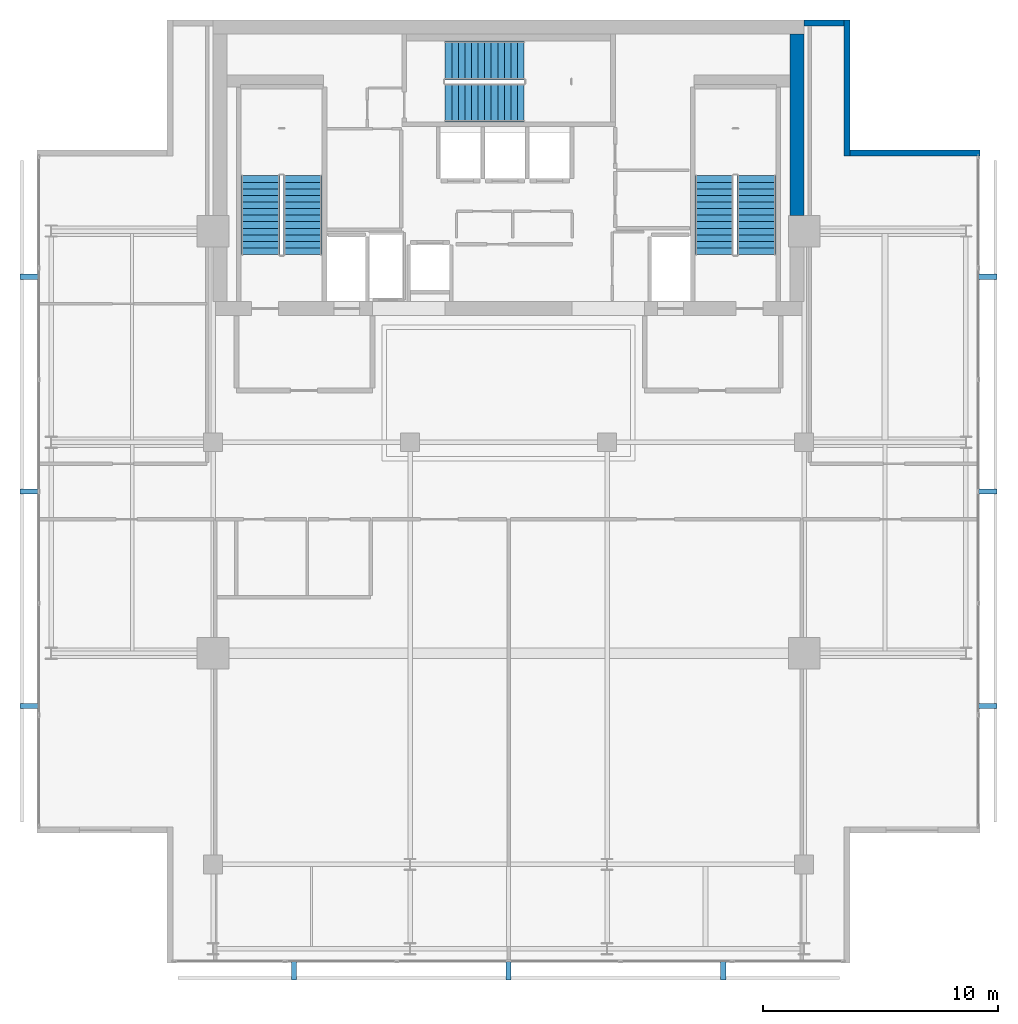
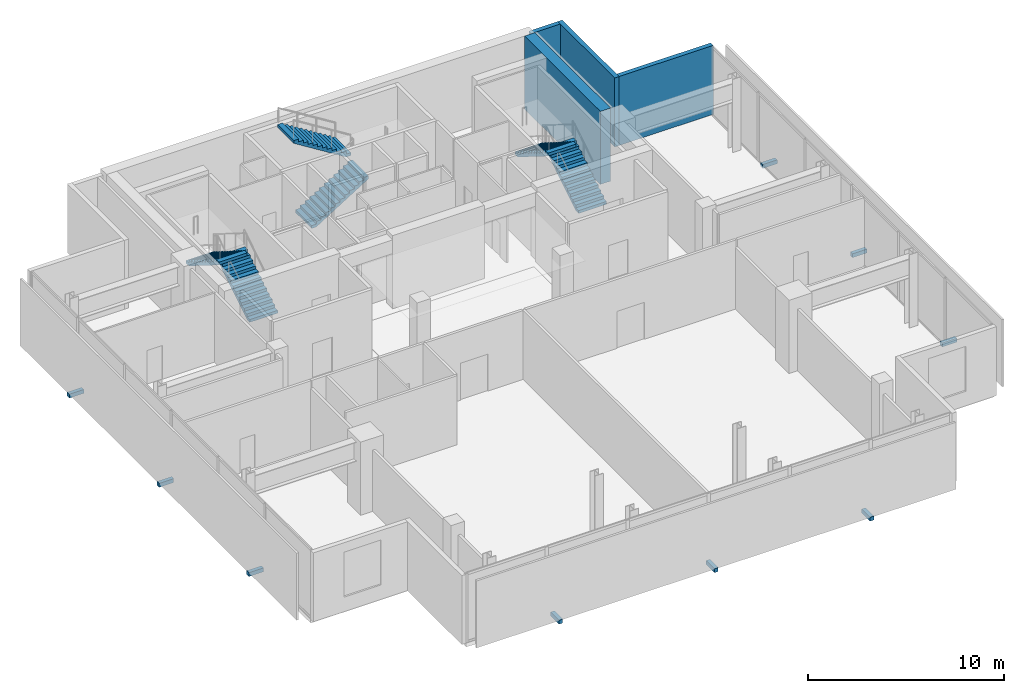
# One storey, part 19 of 23: 9 discrete accessories, 6 stair flights, 4 walls, 3 elements without a shape of their own.
"""IFC4 building model written with IfcOpenShell, lengths in metres."""

from ifc_helpers import new_model, si_unit, direction, frame, frame_2d, origin, origin_2d, place, context, subcontext, project, spatial, polyline, rectangle, outline, extrude, material, layer, layer_set, type_object, element, aggregate, save


model = new_model("IFC4")

# Units and contexts
model_context = context("Model", 3, precision=1e-05, world=origin(), true_north=direction((0.0, 1.0)))
body_context = subcontext(model_context, "Body", "Model", "MODEL_VIEW")
ifc_project = project(units=[si_unit("LENGTHUNIT", "METRE"), si_unit("AREAUNIT", "SQUARE_METRE"), si_unit("VOLUMEUNIT", "CUBIC_METRE"), si_unit("PLANEANGLEUNIT", "RADIAN"), si_unit("MASSUNIT", "GRAM", prefix="KILO")], contexts=[model_context])

# Site, building, storey
site_placement = place(None, origin())
site = spatial("IfcSite", under=ifc_project, at=site_placement, CompositionType="ELEMENT")
building_placement = place(site_placement, origin())
building = spatial("IfcBuilding", under=site, at=building_placement, Name="Maruvema Waterfront Hotel and Observation Tower", CompositionType="ELEMENT")
storey_placement = place(building_placement, frame((0.0, 0.0, 349.64990234375)))
storey = spatial("IfcBuildingStorey", under=building, at=storey_placement, Name="L86", CompositionType="ELEMENT", Elevation=349.64990234375)

# Walls
ifc_material_1 = material(Name="Concrete C60/75", Category="concrete")
ifc_layer_1 = layer(ifc_material_1, 0.60009765625, Name="Core Shear Wall 600 mm")
ifc_layer_set_1 = layer_set([ifc_layer_1], Name="Concrete C60/75")
wall_type_1 = type_object("IfcWallType", Name="Core Shear Wall 600 mm", PredefinedType="SHEAR", material=ifc_layer_set_1)
wall_1_placement = place(storey_placement, frame((50.10009765625, 45.675048828125, 0.0), z_axis=(0.0, 0.0, 1.0), x_axis=(0.0, 1.0, 0.0)))
element("IfcWall", 1, at=wall_1_placement, inside=storey, type_object=wall_type_1, Name="L86 East-North Core Shear Wall", PredefinedType="SHEAR", context=body_context, shape_type="SweptSolid", body=[
    extrude(rectangle(XDim=7.724853515625, YDim=0.60009765625, at=frame_2d((3.8623046875, 0.0))), origin(), (0.0, 0.0, 1.0), 4.550048828125),
])
ifc_material_2 = material(Name="Precast concrete C45/55 with honed Pernambuco granite facing", Category="masonry")
ifc_layer_2 = layer(ifc_material_2, 0.260009765625, Name="Exterior Granite Clad Spandrel and Pier Wall 260 mm")
ifc_layer_set_2 = layer_set([ifc_layer_2], Name="Precast concrete C45/55 with honed Pernambuco granite facing")
wall_type_2 = type_object("IfcWallType", Name="Exterior Granite Clad Spandrel and Pier Wall 260 mm", PredefinedType="SOLIDWALL", material=ifc_layer_set_2)
wall_2_placement = place(storey_placement, frame((52.22998046875, 54.0, 0.0), z_axis=(0.0, 0.0, 1.0), x_axis=(0.0, -1.0, 0.0)))
element("IfcWall", 2, at=wall_2_placement, inside=storey, type_object=wall_type_2, Name="L86 Corner Notch Granite Pier Wall NE1", PredefinedType="SOLIDWALL", context=body_context, shape_type="SweptSolid", body=[
    extrude(rectangle(XDim=5.800048828125, YDim=0.260009765625, at=frame_2d((2.89990234375, 0.0))), origin(), (0.0, 0.0, 1.0), 4.2900390625),
])
wall_3_placement = place(storey_placement, frame((52.10009765625, 48.330078125, 0.0), z_axis=(0.0, 0.0, 1.0), x_axis=(1.0, 0.0, 0.0)))
element("IfcWall", 3, at=wall_3_placement, inside=storey, type_object=wall_type_2, Name="L86 Corner Notch Granite Pier Wall NE2", PredefinedType="SOLIDWALL", context=body_context, shape_type="SweptSolid", body=[
    extrude(rectangle(XDim=5.7998046875, YDim=0.260009765625, at=frame_2d((2.89990234375, 0.0))), origin(), (0.0, 0.0, 1.0), 4.2900390625),
])
wall_4_placement = place(storey_placement, frame((52.10009765625, 53.8701171875, 0.0), z_axis=(0.0, 0.0, 1.0), x_axis=(-1.0, 0.0, 0.0)))
element("IfcWall", 4, at=wall_4_placement, inside=storey, type_object=wall_type_2, Name="L86 North-East Core Flanking Pier Wall", PredefinedType="SOLIDWALL", context=body_context, shape_type="SweptSolid", body=[
    extrude(rectangle(XDim=1.7001953125, YDim=0.260009765625, at=frame_2d((0.85009765625, 0.0))), origin(), (0.0, 0.0, 1.0), 4.2900390625),
])

# Stair, stair flights
ifc_material_3 = material(Name="Concrete C50/60", Category="concrete")
stair_type = type_object("IfcStairType", Name="Dogleg Exit Stair 1650 mm (26R x 175.0 mm)", PredefinedType="HALF_TURN_STAIR", material=ifc_material_3)
stair_1_placement = place(storey_placement, origin())
stair_1 = element("IfcStair", 5, at=stair_1_placement, inside=storey, type_object=stair_type, Name="L86 ST-01", PredefinedType="HALF_TURN_STAIR")
ifc_material_4 = material(Name="Concrete C50/60", Category="concrete")
stair_flight_type = type_object("IfcStairFlightType", Name="Reinforced Concrete Stair Flight 1650 mm (13R x 175.0 mm)", PredefinedType="STRAIGHT", material=ifc_material_4)
stair_flight_1_placement = place(storey_placement, frame((29.02490234375, 44.0, 0.0), z_axis=(0.0, 0.0, 1.0), x_axis=(0.0, 1.0, 0.0)))
stair_flight_1 = element("IfcStairFlight", 6, at=stair_flight_1_placement, type_object=stair_flight_type, Name="ST-01 flight 1", NumberOfRisers=13, NumberOfTreads=12, PredefinedType="STRAIGHT", RiserHeight=0.175, TreadLength=0.28, context=body_context, shape_type="SweptSolid", body=[
    extrude(outline(polyline([(0.0, 0.0), (0.0, 0.175048828125), (0.280029296875, 0.175048828125), (0.280029296875, 0.35009765625), (0.56005859375, 0.35009765625), (0.56005859375, 0.52490234375), (0.840087890625, 0.52490234375), (0.840087890625, 0.699951171875), (1.1201171875, 0.699951171875), (1.1201171875, 0.875), (1.39990234375, 0.875), (1.39990234375, 1.050048828125), (1.679931640625, 1.050048828125), (1.679931640625, 1.22509765625), (1.9599609375, 1.22509765625), (1.9599609375, 1.39990234375), (2.239990234375, 1.39990234375), (2.239990234375, 1.574951171875), (2.52001953125, 1.574951171875), (2.52001953125, 1.75), (2.800048828125, 1.75), (2.800048828125, 1.925048828125), (3.080078125, 1.925048828125), (3.080078125, 2.10009765625), (3.360107421875, 2.10009765625), (3.360107421875, 2.27490234375), (3.360107421875, 1.92333984375), (0.28271484375, 0.0), (0.0, 0.0)])), frame((0.0, 0.824951171875, 0.0), z_axis=(0.0, -1.0, 0.0), x_axis=(1.0, 0.0, 0.0)), (0.0, 0.0, 1.0), 1.64990234375),
])
stair_flight_2_placement = place(storey_placement, frame((27.22509765625, 47.360107421875, 2.275146484375), z_axis=(0.0, 0.0, 1.0), x_axis=(0.0, -1.0, 0.0)))
stair_flight_2 = element("IfcStairFlight", 7, at=stair_flight_2_placement, type_object=stair_flight_type, Name="ST-01 flight 2", NumberOfRisers=13, NumberOfTreads=12, PredefinedType="STRAIGHT", RiserHeight=0.175, TreadLength=0.28, context=body_context, shape_type="SweptSolid", body=[
    extrude(outline(polyline([(0.0, 0.0), (0.0, 0.175048828125), (0.280029296875, 0.175048828125), (0.280029296875, 0.35009765625), (0.56005859375, 0.35009765625), (0.56005859375, 0.52490234375), (0.840087890625, 0.52490234375), (0.840087890625, 0.699951171875), (1.1201171875, 0.699951171875), (1.1201171875, 0.875), (1.39990234375, 0.875), (1.39990234375, 1.050048828125), (1.679931640625, 1.050048828125), (1.679931640625, 1.22509765625), (1.9599609375, 1.22509765625), (1.9599609375, 1.39990234375), (2.239990234375, 1.39990234375), (2.239990234375, 1.574951171875), (2.52001953125, 1.574951171875), (2.52001953125, 1.75), (2.800048828125, 1.75), (2.800048828125, 1.925048828125), (3.080078125, 1.925048828125), (3.080078125, 2.10009765625), (3.360107421875, 2.10009765625), (3.360107421875, 2.27490234375), (3.360107421875, 1.92333984375), (0.28271484375, 0.0), (0.0, 0.0)])), frame((0.0, 0.824951171875, 0.0), z_axis=(0.0, -1.0, 0.0), x_axis=(1.0, 0.0, 0.0)), (0.0, 0.0, 1.0), 1.64990234375),
])
aggregate(stair_1, [stair_flight_1, stair_flight_2])

stair_2_placement = place(storey_placement, origin())
stair_2 = element("IfcStair", 8, at=stair_2_placement, inside=storey, type_object=stair_type, Name="L86 ST-02", PredefinedType="HALF_TURN_STAIR")
stair_flight_3_placement = place(storey_placement, frame((35.10009765625, 50.47509765625, 0.0), z_axis=(0.0, 0.0, 1.0), x_axis=(1.0, 0.0, 0.0)))
stair_flight_3 = element("IfcStairFlight", 9, at=stair_flight_3_placement, type_object=stair_flight_type, Name="ST-02 flight 1", NumberOfRisers=13, NumberOfTreads=12, PredefinedType="STRAIGHT", RiserHeight=0.175, TreadLength=0.28, context=body_context, shape_type="SweptSolid", body=[
    extrude(outline(polyline([(0.0, 0.0), (0.0, 0.175048828125), (0.280029296875, 0.175048828125), (0.280029296875, 0.35009765625), (0.56005859375, 0.35009765625), (0.56005859375, 0.52490234375), (0.840087890625, 0.52490234375), (0.840087890625, 0.699951171875), (1.1201171875, 0.699951171875), (1.1201171875, 0.875), (1.39990234375, 0.875), (1.39990234375, 1.050048828125), (1.679931640625, 1.050048828125), (1.679931640625, 1.22509765625), (1.9599609375, 1.22509765625), (1.9599609375, 1.39990234375), (2.239990234375, 1.39990234375), (2.239990234375, 1.574951171875), (2.52001953125, 1.574951171875), (2.52001953125, 1.75), (2.800048828125, 1.75), (2.800048828125, 1.925048828125), (3.080078125, 1.925048828125), (3.080078125, 2.10009765625), (3.360107421875, 2.10009765625), (3.360107421875, 2.27490234375), (3.360107421875, 1.92333984375), (0.28271484375, 0.0), (0.0, 0.0)])), frame((0.0, 0.824951171875, 0.0), z_axis=(0.0, -1.0, 0.0), x_axis=(1.0, 0.0, 0.0)), (0.0, 0.0, 1.0), 1.64990234375),
])
stair_flight_4_placement = place(storey_placement, frame((38.4599609375, 52.27490234375, 2.275146484375), z_axis=(0.0, 0.0, 1.0), x_axis=(-1.0, 0.0, 0.0)))
stair_flight_4 = element("IfcStairFlight", 10, at=stair_flight_4_placement, type_object=stair_flight_type, Name="ST-02 flight 2", NumberOfRisers=13, NumberOfTreads=12, PredefinedType="STRAIGHT", RiserHeight=0.175, TreadLength=0.28, context=body_context, shape_type="SweptSolid", body=[
    extrude(outline(polyline([(0.0, 0.0), (0.0, 0.175048828125), (0.280029296875, 0.175048828125), (0.280029296875, 0.35009765625), (0.56005859375, 0.35009765625), (0.56005859375, 0.52490234375), (0.840087890625, 0.52490234375), (0.840087890625, 0.699951171875), (1.1201171875, 0.699951171875), (1.1201171875, 0.875), (1.39990234375, 0.875), (1.39990234375, 1.050048828125), (1.679931640625, 1.050048828125), (1.679931640625, 1.22509765625), (1.9599609375, 1.22509765625), (1.9599609375, 1.39990234375), (2.239990234375, 1.39990234375), (2.239990234375, 1.574951171875), (2.52001953125, 1.574951171875), (2.52001953125, 1.75), (2.800048828125, 1.75), (2.800048828125, 1.925048828125), (3.080078125, 1.925048828125), (3.080078125, 2.10009765625), (3.360107421875, 2.10009765625), (3.360107421875, 2.27490234375), (3.360107421875, 1.92333984375), (0.28271484375, 0.0), (0.0, 0.0)])), frame((0.0, 0.824951171875, 0.0), z_axis=(0.0, -1.0, 0.0), x_axis=(1.0, 0.0, 0.0)), (0.0, 0.0, 1.0), 1.64990234375),
])
aggregate(stair_2, [stair_flight_3, stair_flight_4])

stair_3_placement = place(storey_placement, origin())
stair_3 = element("IfcStair", 11, at=stair_3_placement, inside=storey, type_object=stair_type, Name="L86 ST-03", PredefinedType="HALF_TURN_STAIR")
stair_flight_5_placement = place(storey_placement, frame((48.375, 44.0, 0.0), z_axis=(0.0, 0.0, 1.0), x_axis=(0.0, 1.0, 0.0)))
stair_flight_5 = element("IfcStairFlight", 12, at=stair_flight_5_placement, type_object=stair_flight_type, Name="ST-03 flight 1", NumberOfRisers=13, NumberOfTreads=12, PredefinedType="STRAIGHT", RiserHeight=0.175, TreadLength=0.28, context=body_context, shape_type="SweptSolid", body=[
    extrude(outline(polyline([(0.0, 0.0), (0.0, 0.175048828125), (0.280029296875, 0.175048828125), (0.280029296875, 0.35009765625), (0.56005859375, 0.35009765625), (0.56005859375, 0.52490234375), (0.840087890625, 0.52490234375), (0.840087890625, 0.699951171875), (1.1201171875, 0.699951171875), (1.1201171875, 0.875), (1.39990234375, 0.875), (1.39990234375, 1.050048828125), (1.679931640625, 1.050048828125), (1.679931640625, 1.22509765625), (1.9599609375, 1.22509765625), (1.9599609375, 1.39990234375), (2.239990234375, 1.39990234375), (2.239990234375, 1.574951171875), (2.52001953125, 1.574951171875), (2.52001953125, 1.75), (2.800048828125, 1.75), (2.800048828125, 1.925048828125), (3.080078125, 1.925048828125), (3.080078125, 2.10009765625), (3.360107421875, 2.10009765625), (3.360107421875, 2.27490234375), (3.360107421875, 1.92333984375), (0.28271484375, 0.0), (0.0, 0.0)])), frame((0.0, 0.824951171875, 0.0), z_axis=(0.0, -1.0, 0.0), x_axis=(1.0, 0.0, 0.0)), (0.0, 0.0, 1.0), 1.64990234375),
])
stair_flight_6_placement = place(storey_placement, frame((46.574951171875, 47.360107421875, 2.275146484375), z_axis=(0.0, 0.0, 1.0), x_axis=(0.0, -1.0, 0.0)))
stair_flight_6 = element("IfcStairFlight", 13, at=stair_flight_6_placement, type_object=stair_flight_type, Name="ST-03 flight 2", NumberOfRisers=13, NumberOfTreads=12, PredefinedType="STRAIGHT", RiserHeight=0.175, TreadLength=0.28, context=body_context, shape_type="SweptSolid", body=[
    extrude(outline(polyline([(0.0, 0.0), (0.0, 0.175048828125), (0.280029296875, 0.175048828125), (0.280029296875, 0.35009765625), (0.56005859375, 0.35009765625), (0.56005859375, 0.52490234375), (0.840087890625, 0.52490234375), (0.840087890625, 0.699951171875), (1.1201171875, 0.699951171875), (1.1201171875, 0.875), (1.39990234375, 0.875), (1.39990234375, 1.050048828125), (1.679931640625, 1.050048828125), (1.679931640625, 1.22509765625), (1.9599609375, 1.22509765625), (1.9599609375, 1.39990234375), (2.239990234375, 1.39990234375), (2.239990234375, 1.574951171875), (2.52001953125, 1.574951171875), (2.52001953125, 1.75), (2.800048828125, 1.75), (2.800048828125, 1.925048828125), (3.080078125, 1.925048828125), (3.080078125, 2.10009765625), (3.360107421875, 2.10009765625), (3.360107421875, 2.27490234375), (3.360107421875, 1.92333984375), (0.28271484375, 0.0), (0.0, 0.0)])), frame((0.0, 0.824951171875, 0.0), z_axis=(0.0, -1.0, 0.0), x_axis=(1.0, 0.0, 0.0)), (0.0, 0.0, 1.0), 1.64990234375),
])
aggregate(stair_3, [stair_flight_5, stair_flight_6])

# Discrete accessories
ifc_material_5 = material(Name="Duplex stainless steel Grade 2205", Category="steel")
discrete_accessory_type = type_object("IfcDiscreteAccessoryType", Name="Double-Skin Cavity Stainless Outrigger Bracket", PredefinedType="BRACKET", material=ifc_material_5)
for number, where, z_axis, x_axis, name in (
    (14, (28.64794921875, 13.5, -0.14013671875), (0.0, 0.0, 1.0), (1.0, 0.0, 0.0), "L86 Outer Skin Support Bracket 1"),
    (15, (37.800048828125, 13.5, -0.14013671875), (0.0, 0.0, 1.0), (1.0, 0.0, 0.0), "L86 Outer Skin Support Bracket 2"),
    (16, (46.951904296875, 13.5, -0.14013671875), (0.0, 0.0, 1.0), (1.0, 0.0, 0.0), "L86 Outer Skin Support Bracket 3"),
    (17, (58.199951171875, 24.748046875, -0.14013671875), (0.0, 0.0, 1.0), (0.0, 1.0, 0.0), "L86 Outer Skin Support Bracket 1"),
    (18, (58.199951171875, 33.89990234375, -0.14013671875), (0.0, 0.0, 1.0), (0.0, 1.0, 0.0), "L86 Outer Skin Support Bracket 2"),
    (19, (58.199951171875, 43.052001953125, -0.14013671875), (0.0, 0.0, 1.0), (0.0, 1.0, 0.0), "L86 Outer Skin Support Bracket 3"),
    (20, (17.39990234375, 43.052001953125, -0.14013671875), (0.0, 0.0, 1.0), (0.0, -1.0, 0.0), "L86 Outer Skin Support Bracket 1"),
    (21, (17.39990234375, 33.89990234375, -0.14013671875), (0.0, 0.0, 1.0), (0.0, -1.0, 0.0), "L86 Outer Skin Support Bracket 2"),
    (22, (17.39990234375, 24.748046875, -0.14013671875), (0.0, 0.0, 1.0), (0.0, -1.0, 0.0), "L86 Outer Skin Support Bracket 3"),
):
    element("IfcDiscreteAccessory", number, at=place(storey_placement, frame(where, z_axis=z_axis, x_axis=x_axis)), inside=storey, type_object=discrete_accessory_type, Name=name, PredefinedType="BRACKET", context=body_context, shape_type="SweptSolid", body=[
        extrude(rectangle(XDim=0.219970703125, YDim=0.860107421875, at=origin_2d()), origin(), (0.0, 0.0, 1.0), 0.239990234375),
    ])

save(model, "model.ifc")
